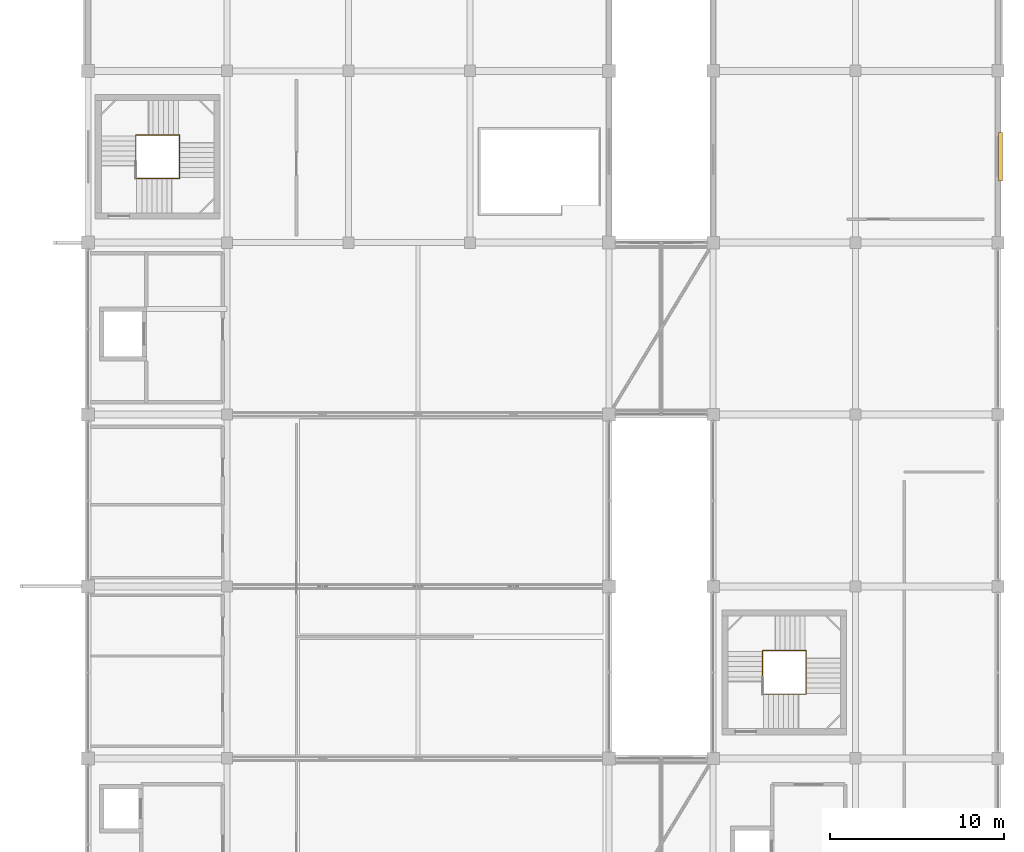
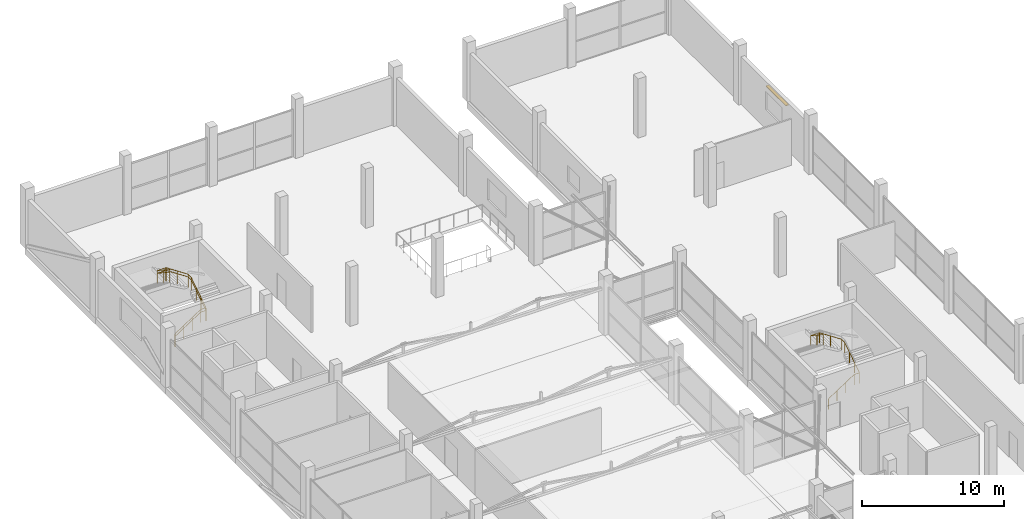
# One storey, part 67 of 67: 3 railings, 1 shading device.
"""IFC4 building model written with IfcOpenShell, lengths in metres."""

from ifc_helpers import new_model, si_unit, direction, frame, origin, origin_2d, place, context, subcontext, project, spatial, rectangle, circle, extrude, material, type_object, element, save


model = new_model("IFC4")

# Units and contexts
model_context = context("Model", 3, precision=1e-05, world=origin(), true_north=direction((0.0, 1.0)))
body_context = subcontext(model_context, "Body", "Model", "MODEL_VIEW")
ifc_project = project(units=[si_unit("LENGTHUNIT", "METRE"), si_unit("AREAUNIT", "SQUARE_METRE"), si_unit("VOLUMEUNIT", "CUBIC_METRE"), si_unit("PLANEANGLEUNIT", "RADIAN"), si_unit("MASSUNIT", "GRAM", prefix="KILO")], contexts=[model_context])

# Site, building, storey
site_placement = place(None, origin())
site = spatial("IfcSite", under=ifc_project, at=site_placement, CompositionType="ELEMENT")
building_placement = place(site_placement, origin())
building = spatial("IfcBuilding", under=site, at=building_placement, Name="Sillaruma Civic Art Gallery", CompositionType="ELEMENT")
storey_placement = place(building_placement, frame((0.0, 0.0, 46.919921875)))
storey = spatial("IfcBuildingStorey", under=building, at=storey_placement, Name="L09", CompositionType="ELEMENT", Elevation=46.919921875)

# Railings
ifc_material_1 = material(Name="Stainless Steel AISI 316", Category="steel")
railing_type_1 = type_object("IfcRailingType", Name="RAL-BAL-1150", PredefinedType="BALUSTRADE", material=ifc_material_1)
railing_1_placement = place(storey_placement, frame((64.739990234375, 82.889892578125, 0.0)))
element("IfcRailing", 1, at=railing_1_placement, inside=storey, type_object=railing_type_1, Name="Stair Well Balustrade (ST-02-L09)", PredefinedType="BALUSTRADE", context=body_context, shape_type="SweptSolid", body=[
    extrude(circle(Radius=0.02392578125, at=origin_2d()), frame((0.0, 0.0, 1.1259765625), z_axis=(0.838159424827, 0.0, 0.545425318971), x_axis=(0.0, 1.0, 0.0)), (0.0, 0.0, 1.0), 2.49365234375),
    extrude(circle(Radius=0.02392578125, at=origin_2d()), frame((2.090087890625, 0.0, 2.48583984375), z_axis=(1.0, 0.0, 0.0), x_axis=(0.0, 1.0, 0.0)), (0.0, 0.0, 1.0), 0.429931640625),
    extrude(circle(Radius=0.02392578125, at=origin_2d()), frame((2.52001953125, 0.0, 2.48583984375), z_axis=(0.0, 0.838204181713, 0.545356534534), x_axis=(-1.0, 0.0, 0.0)), (0.0, 0.0, 1.0), 2.49365234375),
    extrude(circle(Radius=0.02392578125, at=origin_2d()), frame((2.52001953125, 2.090087890625, 3.845703125), z_axis=(0.0, 1.0, 0.0), x_axis=(-1.0, 0.0, 0.0)), (0.0, 0.0, 1.0), 0.429931640625),
    extrude(circle(Radius=0.02392578125, at=origin_2d()), frame((2.52001953125, 2.52001953125, 3.845703125), z_axis=(-0.834150363844, 0.0, 0.551537098025), x_axis=(0.0, -1.0, 0.0)), (0.0, 0.0, 1.0), 2.157958984375),
    extrude(circle(Radius=0.02392578125, at=origin_2d()), frame((0.719970703125, 2.52001953125, 5.0361328125), z_axis=(-1.0, 0.0, 0.0), x_axis=(0.0, -1.0, 0.0)), (0.0, 0.0, 1.0), 0.719970703125),
    extrude(circle(Radius=0.02392578125, at=origin_2d()), frame((0.0, 2.52001953125, 5.0361328125), z_axis=(0.0, -0.834168000855, 0.551510422703), x_axis=(1.0, 0.0, 0.0)), (0.0, 0.0, 1.0), 2.15771484375),
    extrude(circle(Radius=0.02099609375, at=origin_2d()), origin(), (0.0, 0.0, 1.0), 1.101806640625),
    extrude(circle(Radius=0.02099609375, at=origin_2d()), frame((0.69677734375, 0.0, 0.453369140625)), (0.0, 0.0, 1.0), 1.101806640625),
    extrude(circle(Radius=0.02099609375, at=origin_2d()), frame((1.393310546875, 0.0, 0.90673828125)), (0.0, 0.0, 1.0), 1.101806640625),
    extrude(circle(Radius=0.02099609375, at=origin_2d()), frame((2.090087890625, 0.0, 1.360107421875)), (0.0, 0.0, 1.0), 1.101806640625),
    extrude(circle(Radius=0.02099609375, at=origin_2d()), frame((2.52001953125, 0.0, 1.360107421875)), (0.0, 0.0, 1.0), 1.101806640625),
    extrude(circle(Radius=0.02099609375, at=origin_2d()), frame((2.52001953125, 0.69677734375, 1.8134765625)), (0.0, 0.0, 1.0), 1.101806640625),
    extrude(circle(Radius=0.02099609375, at=origin_2d()), frame((2.52001953125, 1.393310546875, 2.2666015625)), (0.0, 0.0, 1.0), 1.101806640625),
    extrude(circle(Radius=0.02099609375, at=origin_2d()), frame((2.52001953125, 2.090087890625, 2.719970703125)), (0.0, 0.0, 1.0), 1.101806640625),
    extrude(circle(Radius=0.02099609375, at=origin_2d()), frame((2.52001953125, 2.52001953125, 2.719970703125)), (0.0, 0.0, 1.0), 1.101806640625),
    extrude(circle(Radius=0.02099609375, at=origin_2d()), frame((1.6201171875, 2.52001953125, 3.31494140625)), (0.0, 0.0, 1.0), 1.101806640625),
    extrude(circle(Radius=0.02099609375, at=origin_2d()), frame((0.719970703125, 2.52001953125, 3.91015625)), (0.0, 0.0, 1.0), 1.101806640625),
    extrude(circle(Radius=0.02099609375, at=origin_2d()), frame((0.0, 2.52001953125, 3.91015625)), (0.0, 0.0, 1.0), 1.101806640625),
    extrude(circle(Radius=0.02099609375, at=origin_2d()), frame((0.0, 1.6201171875, 4.505126953125)), (0.0, 0.0, 1.0), 1.101806640625),
    extrude(circle(Radius=0.02099609375, at=origin_2d()), frame((0.0, 0.72021484375, 5.10009765625)), (0.0, 0.0, 1.0), 1.101806640625),
])
railing_type_2 = type_object("IfcRailingType", Name="RAL-HND-920", PredefinedType="HANDRAIL", material=ifc_material_1)
railing_2_placement = place(storey_placement, frame((64.739990234375, 82.889892578125, 0.0)))
element("IfcRailing", 2, at=railing_2_placement, inside=storey, type_object=railing_type_2, Name="Stair Continuous Handrail (ST-02-L09)", PredefinedType="HANDRAIL", context=body_context, shape_type="SweptSolid", body=[
    extrude(circle(Radius=0.02392578125, at=origin_2d()), frame((0.0, 0.0, 0.89599609375), z_axis=(0.838159424827, 0.0, 0.545425318971), x_axis=(0.0, 1.0, 0.0)), (0.0, 0.0, 1.0), 2.49365234375),
    extrude(circle(Radius=0.02392578125, at=origin_2d()), frame((2.090087890625, 0.0, 2.255859375), z_axis=(1.0, 0.0, 0.0), x_axis=(0.0, 1.0, 0.0)), (0.0, 0.0, 1.0), 0.429931640625),
    extrude(circle(Radius=0.02392578125, at=origin_2d()), frame((2.52001953125, 0.0, 2.255859375), z_axis=(0.0, 0.838204181713, 0.545356534534), x_axis=(-1.0, 0.0, 0.0)), (0.0, 0.0, 1.0), 2.49365234375),
    extrude(circle(Radius=0.02392578125, at=origin_2d()), frame((2.52001953125, 2.090087890625, 3.61572265625), z_axis=(0.0, 1.0, 0.0), x_axis=(-1.0, 0.0, 0.0)), (0.0, 0.0, 1.0), 0.429931640625),
    extrude(circle(Radius=0.02392578125, at=origin_2d()), frame((2.52001953125, 2.52001953125, 3.61572265625), z_axis=(-0.834150363844, 0.0, 0.551537098025), x_axis=(0.0, -1.0, 0.0)), (0.0, 0.0, 1.0), 2.157958984375),
    extrude(circle(Radius=0.02392578125, at=origin_2d()), frame((0.719970703125, 2.52001953125, 4.80615234375), z_axis=(-1.0, 0.0, 0.0), x_axis=(0.0, -1.0, 0.0)), (0.0, 0.0, 1.0), 0.719970703125),
    extrude(circle(Radius=0.02392578125, at=origin_2d()), frame((0.0, 2.52001953125, 4.80615234375), z_axis=(0.0, -0.834168000855, 0.551510422703), x_axis=(1.0, 0.0, 0.0)), (0.0, 0.0, 1.0), 2.15771484375),
    extrude(circle(Radius=0.02099609375, at=origin_2d()), origin(), (0.0, 0.0, 1.0), 0.871826171875),
    extrude(circle(Radius=0.02099609375, at=origin_2d()), frame((0.69677734375, 0.0, 0.453369140625)), (0.0, 0.0, 1.0), 0.871826171875),
    extrude(circle(Radius=0.02099609375, at=origin_2d()), frame((1.393310546875, 0.0, 0.90673828125)), (0.0, 0.0, 1.0), 0.871826171875),
    extrude(circle(Radius=0.02099609375, at=origin_2d()), frame((2.090087890625, 0.0, 1.360107421875)), (0.0, 0.0, 1.0), 0.871826171875),
    extrude(circle(Radius=0.02099609375, at=origin_2d()), frame((2.52001953125, 0.0, 1.360107421875)), (0.0, 0.0, 1.0), 0.871826171875),
    extrude(circle(Radius=0.02099609375, at=origin_2d()), frame((2.52001953125, 0.69677734375, 1.8134765625)), (0.0, 0.0, 1.0), 0.871826171875),
    extrude(circle(Radius=0.02099609375, at=origin_2d()), frame((2.52001953125, 1.393310546875, 2.2666015625)), (0.0, 0.0, 1.0), 0.871826171875),
    extrude(circle(Radius=0.02099609375, at=origin_2d()), frame((2.52001953125, 2.090087890625, 2.719970703125)), (0.0, 0.0, 1.0), 0.871826171875),
    extrude(circle(Radius=0.02099609375, at=origin_2d()), frame((2.52001953125, 2.52001953125, 2.719970703125)), (0.0, 0.0, 1.0), 0.871826171875),
    extrude(circle(Radius=0.02099609375, at=origin_2d()), frame((1.6201171875, 2.52001953125, 3.31494140625)), (0.0, 0.0, 1.0), 0.871826171875),
    extrude(circle(Radius=0.02099609375, at=origin_2d()), frame((0.719970703125, 2.52001953125, 3.91015625)), (0.0, 0.0, 1.0), 0.871826171875),
    extrude(circle(Radius=0.02099609375, at=origin_2d()), frame((0.0, 2.52001953125, 3.91015625)), (0.0, 0.0, 1.0), 0.871826171875),
    extrude(circle(Radius=0.02099609375, at=origin_2d()), frame((0.0, 1.6201171875, 4.505126953125)), (0.0, 0.0, 1.0), 0.871826171875),
    extrude(circle(Radius=0.02099609375, at=origin_2d()), frame((0.0, 0.72021484375, 5.10009765625)), (0.0, 0.0, 1.0), 0.871826171875),
])
railing_3_placement = place(storey_placement, frame((100.840087890625, 53.18994140625, 0.0)))
element("IfcRailing", 3, at=railing_3_placement, inside=storey, type_object=railing_type_2, Name="Stair Continuous Handrail (ST-04-L09)", PredefinedType="HANDRAIL", context=body_context, shape_type="SweptSolid", body=[
    extrude(circle(Radius=0.02392578125, at=origin_2d()), frame((0.0, 0.0, 0.89599609375), z_axis=(0.838130295786, 0.0, 0.545470079185), x_axis=(0.0, 1.0, 0.0)), (0.0, 0.0, 1.0), 2.493408203125),
    extrude(circle(Radius=0.02392578125, at=origin_2d()), frame((2.08984375, 0.0, 2.255859375), z_axis=(1.0, 0.0, 0.0), x_axis=(0.0, 1.0, 0.0)), (0.0, 0.0, 1.0), 0.43017578125),
    extrude(circle(Radius=0.02392578125, at=origin_2d()), frame((2.52001953125, 0.0, 2.255859375), z_axis=(0.0, 0.838204181713, 0.545356534534), x_axis=(-1.0, 0.0, 0.0)), (0.0, 0.0, 1.0), 2.49365234375),
    extrude(circle(Radius=0.02392578125, at=origin_2d()), frame((2.52001953125, 2.090087890625, 3.61572265625), z_axis=(0.0, 1.0, 0.0), x_axis=(-1.0, 0.0, 0.0)), (0.0, 0.0, 1.0), 0.429931640625),
    extrude(circle(Radius=0.02392578125, at=origin_2d()), frame((2.52001953125, 2.52001953125, 3.61572265625), z_axis=(-0.834150363844, 0.0, 0.551537098025), x_axis=(0.0, -1.0, 0.0)), (0.0, 0.0, 1.0), 2.157958984375),
    extrude(circle(Radius=0.02392578125, at=origin_2d()), frame((0.719970703125, 2.52001953125, 4.80615234375), z_axis=(-1.0, 0.0, 0.0), x_axis=(0.0, -1.0, 0.0)), (0.0, 0.0, 1.0), 0.719970703125),
    extrude(circle(Radius=0.02392578125, at=origin_2d()), frame((0.0, 2.52001953125, 4.80615234375), z_axis=(0.0, -0.834202413191, 0.551458369984), x_axis=(1.0, 0.0, 0.0)), (0.0, 0.0, 1.0), 2.15771484375),
    extrude(circle(Radius=0.02099609375, at=origin_2d()), origin(), (0.0, 0.0, 1.0), 0.871826171875),
    extrude(circle(Radius=0.02099609375, at=origin_2d()), frame((0.696533203125, 0.0, 0.453369140625)), (0.0, 0.0, 1.0), 0.871826171875),
    extrude(circle(Radius=0.02099609375, at=origin_2d()), frame((1.393310546875, 0.0, 0.90673828125)), (0.0, 0.0, 1.0), 0.871826171875),
    extrude(circle(Radius=0.02099609375, at=origin_2d()), frame((2.08984375, 0.0, 1.360107421875)), (0.0, 0.0, 1.0), 0.871826171875),
    extrude(circle(Radius=0.02099609375, at=origin_2d()), frame((2.52001953125, 0.0, 1.360107421875)), (0.0, 0.0, 1.0), 0.871826171875),
    extrude(circle(Radius=0.02099609375, at=origin_2d()), frame((2.52001953125, 0.69677734375, 1.8134765625)), (0.0, 0.0, 1.0), 0.871826171875),
    extrude(circle(Radius=0.02099609375, at=origin_2d()), frame((2.52001953125, 1.393310546875, 2.2666015625)), (0.0, 0.0, 1.0), 0.871826171875),
    extrude(circle(Radius=0.02099609375, at=origin_2d()), frame((2.52001953125, 2.090087890625, 2.719970703125)), (0.0, 0.0, 1.0), 0.871826171875),
    extrude(circle(Radius=0.02099609375, at=origin_2d()), frame((2.52001953125, 2.52001953125, 2.719970703125)), (0.0, 0.0, 1.0), 0.871826171875),
    extrude(circle(Radius=0.02099609375, at=origin_2d()), frame((1.6201171875, 2.52001953125, 3.31494140625)), (0.0, 0.0, 1.0), 0.871826171875),
    extrude(circle(Radius=0.02099609375, at=origin_2d()), frame((0.719970703125, 2.52001953125, 3.91015625)), (0.0, 0.0, 1.0), 0.871826171875),
    extrude(circle(Radius=0.02099609375, at=origin_2d()), frame((0.0, 2.52001953125, 3.91015625)), (0.0, 0.0, 1.0), 0.871826171875),
    extrude(circle(Radius=0.02099609375, at=origin_2d()), frame((0.0, 1.6201171875, 4.505126953125)), (0.0, 0.0, 1.0), 0.871826171875),
    extrude(circle(Radius=0.02099609375, at=origin_2d()), frame((0.0, 0.719970703125, 5.10009765625)), (0.0, 0.0, 1.0), 0.871826171875),
])

# Shading device
ifc_material_2 = material(Name="Anodised Extruded Aluminium 6063-T6", Category="aluminium")
shading_device_type = type_object("IfcShadingDeviceType", Name="SHD-LOU-02", PredefinedType="USERDEFINED", material=ifc_material_2)
shading_device_placement = place(storey_placement, frame((114.5400390625, 84.14990234375, 3.42529296875), z_axis=(0.0, 0.0, 1.0), x_axis=(0.0, 1.0, 0.0)))
element("IfcShadingDevice", 4, at=shading_device_placement, inside=storey, type_object=shading_device_type, Name="Studio Solar Louvre Baffle (L09-7)", ObjectType="LOUVRE", PredefinedType="USERDEFINED", context=body_context, shape_type="SweptSolid", body=[
    extrude(rectangle(XDim=2.800048828125, YDim=0.239990234375, at=origin_2d()), origin(), (0.0, 0.0, 1.0), 0.050048828125),
])

save(model, "model.ifc")
